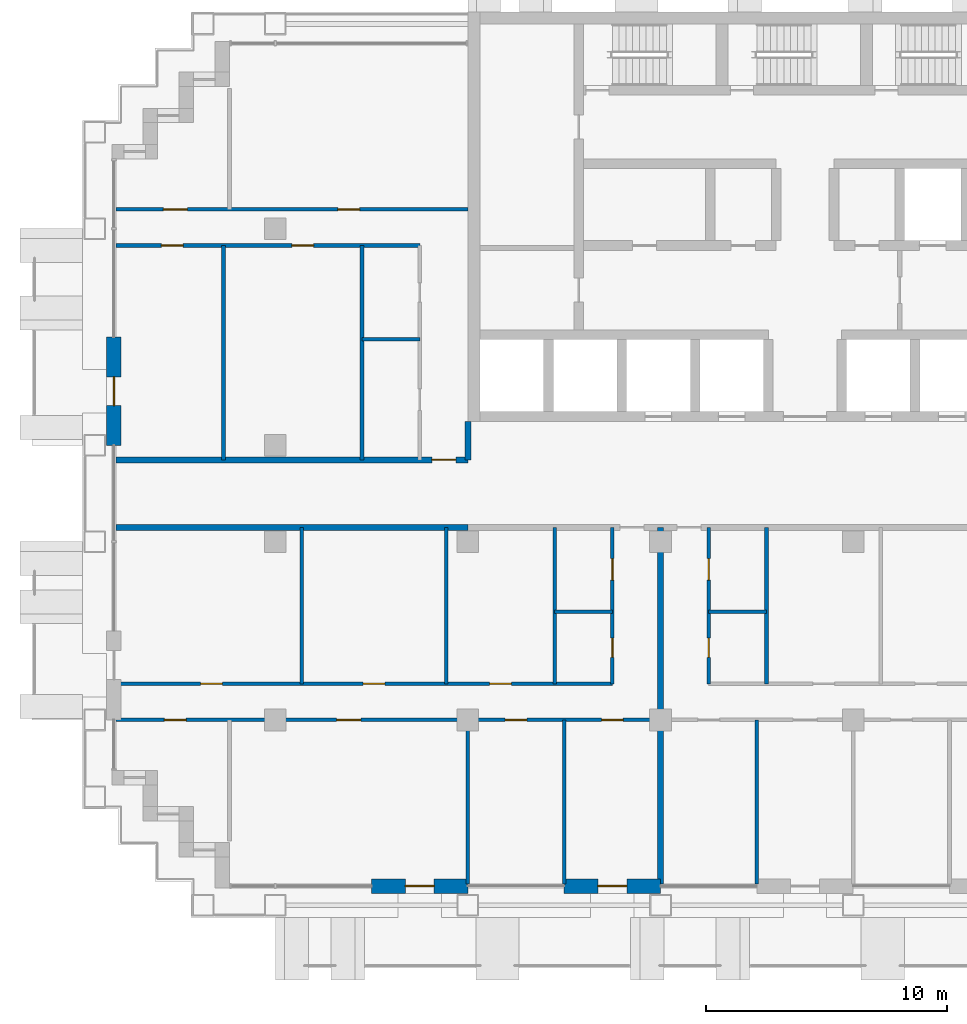
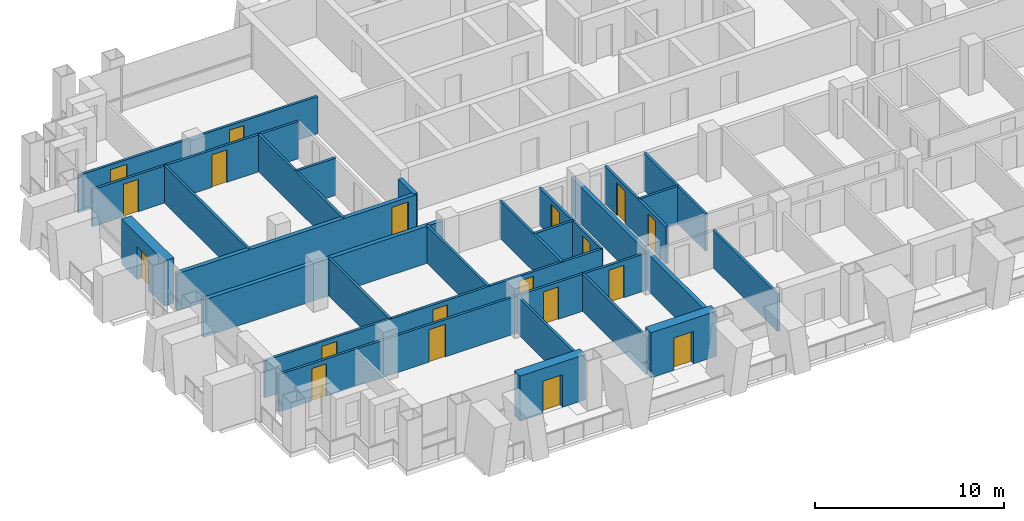
# One storey, part 8 of 17: 25 walls, 19 doors, 19 openings.
"""IFC4 building model written with IfcOpenShell, lengths in metres."""

from ifc_helpers import new_model, si_unit, direction, frame, frame_2d, origin, place, context, subcontext, project, spatial, rectangle, extrude, material, layer, layer_set, type_object, element, fill, save


model = new_model("IFC4")

# Units and contexts
model_context = context("Model", 3, precision=1e-05, world=origin(), true_north=direction((0.0, 1.0)))
body_context = subcontext(model_context, "Body", "Model", "MODEL_VIEW")
ifc_project = project(units=[si_unit("LENGTHUNIT", "METRE"), si_unit("AREAUNIT", "SQUARE_METRE"), si_unit("VOLUMEUNIT", "CUBIC_METRE"), si_unit("PLANEANGLEUNIT", "RADIAN"), si_unit("MASSUNIT", "GRAM", prefix="KILO")], contexts=[model_context])

# Site, building, storey
site_placement = place(None, origin())
site = spatial("IfcSite", under=ifc_project, at=site_placement, CompositionType="ELEMENT")
building_placement = place(site_placement, origin())
building = spatial("IfcBuilding", under=site, at=building_placement, Name="Vidyagriha Tower", CompositionType="ELEMENT")
storey_placement = place(building_placement, frame((0.0, 0.0, 77.5)))
storey = spatial("IfcBuildingStorey", under=building, at=storey_placement, Name="L19", CompositionType="ELEMENT", Elevation=77.5)

# Wall, opening, door
ifc_material_1 = material(Name="Precast concrete C40/50 with brick facing", Category="concrete")
ifc_layer_1 = layer(ifc_material_1, 0.60009765625)
ifc_layer_set_1 = layer_set([ifc_layer_1], Name="Precast concrete C40/50 with brick facing")
wall_type_1 = type_object("IfcWallType", Name="Brick-faced precast wall 600", PredefinedType="STANDARD", material=ifc_layer_set_1)
wall_1_placement = place(storey_placement, frame((-28.699951171875, 6.5, 0.0), z_axis=(0.0, 0.0, 1.0), x_axis=(0.0, -1.0, 0.0)))
wall_1 = element("IfcWall", 1, at=wall_1_placement, inside=storey, type_object=wall_type_1, Name="Brick door bay wall L19 R16.3", PredefinedType="STANDARD", context=body_context, shape_type="SweptSolid", body=[
    extrude(rectangle(XDim=4.5, YDim=0.60009765625, at=frame_2d((2.25, 0.0))), origin(), (0.0, 0.0, 1.0), 2.919921875),
])
opening_1_placement = place(wall_1_placement, frame((1.64990234375, 0.0, 0.0)))
opening_1 = element("IfcOpeningElement", 2, at=opening_1_placement, cuts=wall_1, Name="Opening D19-72", PredefinedType="OPENING", context=body_context, shape_type="SweptSolid", body=[
    extrude(rectangle(XDim=1.199951171875, YDim=2.10009765625, at=frame_2d((0.60009765625, 1.050048828125))), frame((0.0, 0.31005859375, 0.0), z_axis=(0.0, -1.0, 0.0), x_axis=(1.0, 0.0, 0.0)), (0.0, 0.0, 1.0), 0.6201171875),
])
ifc_material_2 = material(Name="Aluminium framed glazed sliding door", Category="aluminium")
door_type_1 = type_object("IfcDoorType", Name="Balcony sliding door 1200x2100", OperationType="NOTDEFINED", PredefinedType="DOOR", material=ifc_material_2)
door_1_placement = place(opening_1_placement, origin())
door_1 = element("IfcDoor", 3, at=door_1_placement, inside=storey, type_object=door_type_1, Name="Door D19-72", OperationType="SLIDING_TO_LEFT", OverallHeight=2.10009765625, OverallWidth=1.199951171875, PredefinedType="DOOR", context=body_context, shape_type="SweptSolid", body=[
    extrude(rectangle(XDim=1.199951171875, YDim=2.10009765625, at=frame_2d((0.60009765625, 1.050048828125))), frame((0.0, 0.02490234375, 0.0), z_axis=(0.0, -1.0, 0.0), x_axis=(1.0, 0.0, 0.0)), (0.0, 0.0, 1.0), 0.050048828125),
])
fill(opening_1, door_1)

wall_2_placement = place(storey_placement, frame((-18.0, -16.300048828125, 0.0)))
wall_2 = element("IfcWall", 4, at=wall_2_placement, inside=storey, type_object=wall_type_1, Name="Brick door bay wall L19 R23.3", PredefinedType="STANDARD", context=body_context, shape_type="SweptSolid", body=[
    extrude(rectangle(XDim=4.0, YDim=0.60009765625, at=frame_2d((2.0, 0.0))), origin(), (0.0, 0.0, 1.0), 2.919921875),
])
opening_2_placement = place(wall_2_placement, frame((1.39990234375, 0.0, 0.0)))
opening_2 = element("IfcOpeningElement", 5, at=opening_2_placement, cuts=wall_2, Name="Opening D19-74", PredefinedType="OPENING", context=body_context, shape_type="SweptSolid", body=[
    extrude(rectangle(XDim=1.199951171875, YDim=2.10009765625, at=frame_2d((0.60009765625, 1.050048828125))), frame((0.0, 0.31005859375, 0.0), z_axis=(0.0, -1.0, 0.0), x_axis=(1.0, 0.0, 0.0)), (0.0, 0.0, 1.0), 0.6201171875),
])
door_2_placement = place(opening_2_placement, origin())
door_2 = element("IfcDoor", 6, at=door_2_placement, inside=storey, type_object=door_type_1, Name="Door D19-74", OperationType="SLIDING_TO_LEFT", OverallHeight=2.10009765625, OverallWidth=1.199951171875, PredefinedType="DOOR", context=body_context, shape_type="SweptSolid", body=[
    extrude(rectangle(XDim=1.199951171875, YDim=2.10009765625, at=frame_2d((0.60009765625, 1.050048828125))), frame((0.0, 0.02490234375, 0.0), z_axis=(0.0, -1.0, 0.0), x_axis=(1.0, 0.0, 0.0)), (0.0, 0.0, 1.0), 0.050048828125),
])
fill(opening_2, door_2)

wall_3_placement = place(storey_placement, frame((-10.0, -16.300048828125, 0.0)))
wall_3 = element("IfcWall", 7, at=wall_3_placement, inside=storey, type_object=wall_type_1, Name="Brick door bay wall L19 R23.5", PredefinedType="STANDARD", context=body_context, shape_type="SweptSolid", body=[
    extrude(rectangle(XDim=4.0, YDim=0.60009765625, at=frame_2d((2.0, 0.0))), origin(), (0.0, 0.0, 1.0), 2.919921875),
])
opening_3_placement = place(wall_3_placement, frame((1.39990234375, 0.0, 0.0)))
opening_3 = element("IfcOpeningElement", 8, at=opening_3_placement, cuts=wall_3, Name="Opening D19-75", PredefinedType="OPENING", context=body_context, shape_type="SweptSolid", body=[
    extrude(rectangle(XDim=1.199951171875, YDim=2.10009765625, at=frame_2d((0.60009765625, 1.050048828125))), frame((0.0, 0.31005859375, 0.0), z_axis=(0.0, -1.0, 0.0), x_axis=(1.0, 0.0, 0.0)), (0.0, 0.0, 1.0), 0.6201171875),
])
door_3_placement = place(opening_3_placement, origin())
door_3 = element("IfcDoor", 9, at=door_3_placement, inside=storey, type_object=door_type_1, Name="Door D19-75", OperationType="SLIDING_TO_LEFT", OverallHeight=2.10009765625, OverallWidth=1.199951171875, PredefinedType="DOOR", context=body_context, shape_type="SweptSolid", body=[
    extrude(rectangle(XDim=1.199951171875, YDim=2.10009765625, at=frame_2d((0.60009765625, 1.050048828125))), frame((0.0, 0.02490234375, 0.0), z_axis=(0.0, -1.0, 0.0), x_axis=(1.0, 0.0, 0.0)), (0.0, 0.0, 1.0), 0.050048828125),
])
fill(opening_3, door_3)

# Wall
ifc_material_3 = material(Name="Fired clay brick masonry", Category="masonry")
ifc_layer_2 = layer(ifc_material_3, 0.25)
ifc_layer_set_2 = layer_set([ifc_layer_2], Name="Fired clay brick masonry")
wall_type_2 = type_object("IfcWallType", Name="Fired clay brick corridor wall 250", PredefinedType="PARTITIONING", material=ifc_layer_set_2)
wall_4_placement = place(storey_placement, frame((-14.0, -1.39990234375, 0.0), z_axis=(0.0, 0.0, 1.0), x_axis=(-1.0, 0.0, 0.0)))
element("IfcWall", 10, at=wall_4_placement, inside=storey, type_object=wall_type_2, Name="Wall all-L19-w078", PredefinedType="PARTITIONING", context=body_context, shape_type="SweptSolid", body=[
    extrude(rectangle(XDim=14.6201171875, YDim=0.25, at=frame_2d((7.31005859375, 0.0))), origin(), (0.0, 0.0, 1.0), 2.39990234375),
])

# Wall, opening, door
wall_5_placement = place(storey_placement, frame((-28.6201171875, 1.39990234375, 0.0)))
wall_5 = element("IfcWall", 11, at=wall_5_placement, inside=storey, type_object=wall_type_2, Name="Wall all-L19-w095", PredefinedType="PARTITIONING", context=body_context, shape_type="SweptSolid", body=[
    extrude(rectangle(XDim=14.6201171875, YDim=0.25, at=frame_2d((7.31005859375, 0.0))), origin(), (0.0, 0.0, 1.0), 2.39990234375),
])
opening_4_placement = place(wall_5_placement, frame((13.1201171875, 0.0, 0.0)))
opening_4 = element("IfcOpeningElement", 12, at=opening_4_placement, cuts=wall_5, Name="Opening D19-56", PredefinedType="OPENING", context=body_context, shape_type="SweptSolid", body=[
    extrude(rectangle(XDim=1.0, YDim=2.10009765625, at=frame_2d((0.5, 1.050048828125))), frame((0.0, 0.135009765625, 0.0), z_axis=(0.0, -1.0, 0.0), x_axis=(1.0, 0.0, 0.0)), (0.0, 0.0, 1.0), 0.27001953125),
])
ifc_material_4 = material(Name="Fire-rated timber door leaf EI 60", Category="wood")
door_type_2 = type_object("IfcDoorType", Name="Flat entrance fire door 1000x2100", OperationType="NOTDEFINED", PredefinedType="DOOR", material=ifc_material_4)
door_4_placement = place(opening_4_placement, origin())
door_4 = element("IfcDoor", 13, at=door_4_placement, inside=storey, type_object=door_type_2, Name="Door D19-56", OperationType="SINGLE_SWING_RIGHT", OverallHeight=2.10009765625, OverallWidth=1.0, PredefinedType="DOOR", context=body_context, shape_type="SweptSolid", body=[
    extrude(rectangle(XDim=1.0, YDim=2.10009765625, at=frame_2d((0.5, 1.050048828125))), frame((0.0, 0.02490234375, 0.0), z_axis=(0.0, -1.0, 0.0), x_axis=(1.0, 0.0, 0.0)), (0.0, 0.0, 1.0), 0.050048828125),
])
fill(opening_4, door_4)

# Walls
wall_6_placement = place(storey_placement, frame((-14.0, 3.0, 0.0), z_axis=(0.0, 0.0, 1.0), x_axis=(0.0, -1.0, 0.0)))
element("IfcWall", 14, at=wall_6_placement, inside=storey, type_object=wall_type_2, Name="Wall all-L19-w130", PredefinedType="PARTITIONING", context=body_context, shape_type="SweptSolid", body=[
    extrude(rectangle(XDim=1.60009765625, YDim=0.25, at=frame_2d((0.800048828125, 0.0))), origin(), (0.0, 0.0, 1.0), 2.39990234375),
])
ifc_material_5 = material(Name="Fired clay brick masonry", Category="masonry")
ifc_layer_3 = layer(ifc_material_5, 0.25)
ifc_layer_set_3 = layer_set([ifc_layer_3], Name="Fired clay brick masonry")
wall_type_3 = type_object("IfcWallType", Name="Fired clay brick demising wall 250", PredefinedType="PARTITIONING", material=ifc_layer_set_3)
wall_7_placement = place(storey_placement, frame((-6.0, -1.39990234375, 0.0), z_axis=(0.0, 0.0, 1.0), x_axis=(0.0, -1.0, 0.0)))
element("IfcWall", 15, at=wall_7_placement, inside=storey, type_object=wall_type_3, Name="Wall all-L19-w041", PredefinedType="PARTITIONING", context=body_context, shape_type="SweptSolid", body=[
    extrude(rectangle(XDim=14.81005859375, YDim=0.25, at=frame_2d((7.405029296875, 0.0))), origin(), (0.0, 0.0, 1.0), 2.39990234375),
])
ifc_material_6 = material(Name="Gypsum board partition")
ifc_layer_4 = layer(ifc_material_6, 0.14990234375)
ifc_layer_set_4 = layer_set([ifc_layer_4], Name="Gypsum board partition")
wall_type_4 = type_object("IfcWallType", Name="Gypsum board partition 150", PredefinedType="PARTITIONING", material=ifc_layer_set_4)
wall_8_placement = place(storey_placement, frame((-8.0, -4.89990234375, 0.0), z_axis=(0.0, 0.0, 1.0), x_axis=(-1.0, 0.0, 0.0)))
element("IfcWall", 16, at=wall_8_placement, inside=storey, type_object=wall_type_4, Name="Wall all-L19-w004", PredefinedType="PARTITIONING", context=body_context, shape_type="SweptSolid", body=[
    extrude(rectangle(XDim=2.39990234375, YDim=0.14990234375, at=frame_2d((1.199951171875, 0.0))), origin(), (0.0, 0.0, 1.0), 2.39990234375),
])
for number, where, z_axis, x_axis, name in (
    (17, (-10.39990234375, -7.89990234375, 0.0), (0.0, 0.0, 1.0), (0.0, 1.0, 0.0), "Wall all-L19-w005"),
    (18, (-14.89990234375, -7.89990234375, 0.0), (0.0, 0.0, 1.0), (0.0, 1.0, 0.0), "Wall all-L19-w006"),
    (19, (-20.89990234375, -7.89990234375, 0.0), (0.0, 0.0, 1.0), (0.0, 1.0, 0.0), "Wall all-L19-w007"),
):
    element("IfcWall", number, at=place(storey_placement, frame(where, z_axis=z_axis, x_axis=x_axis)), inside=storey, type_object=wall_type_4, Name=name, PredefinedType="PARTITIONING", context=body_context, shape_type="SweptSolid", body=[
        extrude(rectangle(XDim=6.5, YDim=0.14990234375, at=frame_2d((3.25, 0.0))), origin(), (0.0, 0.0, 1.0), 2.39990234375),
    ])

# Wall, openings, doors
wall_9_placement = place(storey_placement, frame((-28.610107421875, -7.89990234375, 0.0)))
wall_9 = element("IfcWall", 20, at=wall_9_placement, inside=storey, type_object=wall_type_4, Name="Wall all-L19-w008", PredefinedType="PARTITIONING", context=body_context, shape_type="SweptSolid", body=[
    extrude(rectangle(XDim=20.610107421875, YDim=0.14990234375, at=frame_2d((10.30517578125, 0.0))), origin(), (0.0, 0.0, 1.0), 2.39990234375),
])
opening_5_placement = place(wall_9_placement, frame((15.510009765625, 0.0, 0.0)))
opening_5 = element("IfcOpeningElement", 21, at=opening_5_placement, cuts=wall_9, Name="Opening D19-15", PredefinedType="OPENING", context=body_context, shape_type="SweptSolid", body=[
    extrude(rectangle(XDim=0.89990234375, YDim=2.10009765625, at=frame_2d((0.449951171875, 1.050048828125))), frame((0.0, 0.0849609375, 0.0), z_axis=(0.0, -1.0, 0.0), x_axis=(1.0, 0.0, 0.0)), (0.0, 0.0, 1.0), 0.169921875),
])
opening_6_placement = place(wall_9_placement, frame((10.260009765625, 0.0, 0.0)))
opening_6 = element("IfcOpeningElement", 22, at=opening_6_placement, cuts=wall_9, Name="Opening D19-16", PredefinedType="OPENING", context=body_context, shape_type="SweptSolid", body=[
    extrude(rectangle(XDim=0.89990234375, YDim=2.10009765625, at=frame_2d((0.449951171875, 1.050048828125))), frame((0.0, 0.0849609375, 0.0), z_axis=(0.0, -1.0, 0.0), x_axis=(1.0, 0.0, 0.0)), (0.0, 0.0, 1.0), 0.169921875),
])
opening_7_placement = place(wall_9_placement, frame((3.510009765625, 0.0, 0.0)))
opening_7 = element("IfcOpeningElement", 23, at=opening_7_placement, cuts=wall_9, Name="Opening D19-17", PredefinedType="OPENING", context=body_context, shape_type="SweptSolid", body=[
    extrude(rectangle(XDim=0.89990234375, YDim=2.10009765625, at=frame_2d((0.449951171875, 1.050048828125))), frame((0.0, 0.0849609375, 0.0), z_axis=(0.0, -1.0, 0.0), x_axis=(1.0, 0.0, 0.0)), (0.0, 0.0, 1.0), 0.169921875),
])
ifc_material_7 = material(Name="Timber door leaf", Category="wood")
door_type_3 = type_object("IfcDoorType", Name="Room door 900x2100", OperationType="NOTDEFINED", PredefinedType="DOOR", material=ifc_material_7)
door_5_placement = place(opening_5_placement, origin())
door_5 = element("IfcDoor", 24, at=door_5_placement, inside=storey, type_object=door_type_3, Name="Door D19-15", OperationType="SINGLE_SWING_RIGHT", OverallHeight=2.10009765625, OverallWidth=0.89990234375, PredefinedType="DOOR", context=body_context, shape_type="SweptSolid", body=[
    extrude(rectangle(XDim=0.89990234375, YDim=2.10009765625, at=frame_2d((0.449951171875, 1.050048828125))), frame((0.0, 0.02490234375, 0.0), z_axis=(0.0, -1.0, 0.0), x_axis=(1.0, 0.0, 0.0)), (0.0, 0.0, 1.0), 0.050048828125),
])
fill(opening_5, door_5)
door_6_placement = place(opening_6_placement, origin())
door_6 = element("IfcDoor", 25, at=door_6_placement, inside=storey, type_object=door_type_3, Name="Door D19-16", OperationType="SINGLE_SWING_RIGHT", OverallHeight=2.10009765625, OverallWidth=0.89990234375, PredefinedType="DOOR", context=body_context, shape_type="SweptSolid", body=[
    extrude(rectangle(XDim=0.89990234375, YDim=2.10009765625, at=frame_2d((0.449951171875, 1.050048828125))), frame((0.0, 0.02490234375, 0.0), z_axis=(0.0, -1.0, 0.0), x_axis=(1.0, 0.0, 0.0)), (0.0, 0.0, 1.0), 0.050048828125),
])
fill(opening_6, door_6)
door_7_placement = place(opening_7_placement, origin())
door_7 = element("IfcDoor", 26, at=door_7_placement, inside=storey, type_object=door_type_3, Name="Door D19-17", OperationType="SINGLE_SWING_RIGHT", OverallHeight=2.10009765625, OverallWidth=0.89990234375, PredefinedType="DOOR", context=body_context, shape_type="SweptSolid", body=[
    extrude(rectangle(XDim=0.89990234375, YDim=2.10009765625, at=frame_2d((0.449951171875, 1.050048828125))), frame((0.0, 0.02490234375, 0.0), z_axis=(0.0, -1.0, 0.0), x_axis=(1.0, 0.0, 0.0)), (0.0, 0.0, 1.0), 0.050048828125),
])
fill(opening_7, door_7)

wall_10_placement = place(storey_placement, frame((-6.0, -9.39990234375, 0.0), z_axis=(0.0, 0.0, 1.0), x_axis=(-1.0, 0.0, 0.0)))
wall_10 = element("IfcWall", 27, at=wall_10_placement, inside=storey, type_object=wall_type_4, Name="Wall all-L19-w012", PredefinedType="PARTITIONING", context=body_context, shape_type="SweptSolid", body=[
    extrude(rectangle(XDim=22.610107421875, YDim=0.14990234375, at=frame_2d((11.30517578125, 0.0))), origin(), (0.0, 0.0, 1.0), 2.39990234375),
])
opening_8_placement = place(wall_10_placement, frame((19.699951171875, 0.0, 0.0)))
opening_8 = element("IfcOpeningElement", 28, at=opening_8_placement, cuts=wall_10, Name="Opening D19-18", PredefinedType="OPENING", context=body_context, shape_type="SweptSolid", body=[
    extrude(rectangle(XDim=0.89990234375, YDim=2.10009765625, at=frame_2d((0.449951171875, 1.050048828125))), frame((0.0, 0.0849609375, 0.0), z_axis=(0.0, -1.0, 0.0), x_axis=(1.0, 0.0, 0.0)), (0.0, 0.0, 1.0), 0.169921875),
])
opening_9_placement = place(wall_10_placement, frame((12.449951171875, 0.0, 0.0)))
opening_9 = element("IfcOpeningElement", 29, at=opening_9_placement, cuts=wall_10, Name="Opening D19-19", PredefinedType="OPENING", context=body_context, shape_type="SweptSolid", body=[
    extrude(rectangle(XDim=1.0, YDim=2.10009765625, at=frame_2d((0.5, 1.050048828125))), frame((0.0, 0.0849609375, 0.0), z_axis=(0.0, -1.0, 0.0), x_axis=(1.0, 0.0, 0.0)), (0.0, 0.0, 1.0), 0.169921875),
])
opening_10_placement = place(wall_10_placement, frame((5.550048828125, 0.0, 0.0)))
opening_10 = element("IfcOpeningElement", 30, at=opening_10_placement, cuts=wall_10, Name="Opening D19-20", PredefinedType="OPENING", context=body_context, shape_type="SweptSolid", body=[
    extrude(rectangle(XDim=0.89990234375, YDim=2.10009765625, at=frame_2d((0.449951171875, 1.050048828125))), frame((0.0, 0.0849609375, 0.0), z_axis=(0.0, -1.0, 0.0), x_axis=(1.0, 0.0, 0.0)), (0.0, 0.0, 1.0), 0.169921875),
])
opening_11_placement = place(wall_10_placement, frame((1.550048828125, 0.0, 0.0)))
opening_11 = element("IfcOpeningElement", 31, at=opening_11_placement, cuts=wall_10, Name="Opening D19-21", PredefinedType="OPENING", context=body_context, shape_type="SweptSolid", body=[
    extrude(rectangle(XDim=0.89990234375, YDim=2.10009765625, at=frame_2d((0.449951171875, 1.050048828125))), frame((0.0, 0.0849609375, 0.0), z_axis=(0.0, -1.0, 0.0), x_axis=(1.0, 0.0, 0.0)), (0.0, 0.0, 1.0), 0.169921875),
])
ifc_material_8 = material(Name="Timber door leaf", Category="wood")
door_type_4 = type_object("IfcDoorType", Name="Room door 1000x2100", OperationType="NOTDEFINED", PredefinedType="DOOR", material=ifc_material_8)
door_8_placement = place(opening_9_placement, origin())
door_8 = element("IfcDoor", 32, at=door_8_placement, inside=storey, type_object=door_type_4, Name="Door D19-19", OperationType="SINGLE_SWING_RIGHT", OverallHeight=2.10009765625, OverallWidth=1.0, PredefinedType="DOOR", context=body_context, shape_type="SweptSolid", body=[
    extrude(rectangle(XDim=1.0, YDim=2.10009765625, at=frame_2d((0.5, 1.050048828125))), frame((0.0, 0.02490234375, 0.0), z_axis=(0.0, -1.0, 0.0), x_axis=(1.0, 0.0, 0.0)), (0.0, 0.0, 1.0), 0.050048828125),
])
fill(opening_9, door_8)
door_9_placement = place(opening_8_placement, origin())
door_9 = element("IfcDoor", 33, at=door_9_placement, inside=storey, type_object=door_type_3, Name="Door D19-18", OperationType="SINGLE_SWING_RIGHT", OverallHeight=2.10009765625, OverallWidth=0.89990234375, PredefinedType="DOOR", context=body_context, shape_type="SweptSolid", body=[
    extrude(rectangle(XDim=0.89990234375, YDim=2.10009765625, at=frame_2d((0.449951171875, 1.050048828125))), frame((0.0, 0.02490234375, 0.0), z_axis=(0.0, -1.0, 0.0), x_axis=(1.0, 0.0, 0.0)), (0.0, 0.0, 1.0), 0.050048828125),
])
fill(opening_8, door_9)
door_10_placement = place(opening_10_placement, origin())
door_10 = element("IfcDoor", 34, at=door_10_placement, inside=storey, type_object=door_type_3, Name="Door D19-20", OperationType="SINGLE_SWING_RIGHT", OverallHeight=2.10009765625, OverallWidth=0.89990234375, PredefinedType="DOOR", context=body_context, shape_type="SweptSolid", body=[
    extrude(rectangle(XDim=0.89990234375, YDim=2.10009765625, at=frame_2d((0.449951171875, 1.050048828125))), frame((0.0, 0.02490234375, 0.0), z_axis=(0.0, -1.0, 0.0), x_axis=(1.0, 0.0, 0.0)), (0.0, 0.0, 1.0), 0.050048828125),
])
fill(opening_10, door_10)
door_11_placement = place(opening_11_placement, origin())
door_11 = element("IfcDoor", 35, at=door_11_placement, inside=storey, type_object=door_type_3, Name="Door D19-21", OperationType="SINGLE_SWING_RIGHT", OverallHeight=2.10009765625, OverallWidth=0.89990234375, PredefinedType="DOOR", context=body_context, shape_type="SweptSolid", body=[
    extrude(rectangle(XDim=0.89990234375, YDim=2.10009765625, at=frame_2d((0.449951171875, 1.050048828125))), frame((0.0, 0.02490234375, 0.0), z_axis=(0.0, -1.0, 0.0), x_axis=(1.0, 0.0, 0.0)), (0.0, 0.0, 1.0), 0.050048828125),
])
fill(opening_11, door_11)

# Walls
wall_11_placement = place(storey_placement, frame((-14.0, -9.39990234375, 0.0), z_axis=(0.0, 0.0, 1.0), x_axis=(0.0, -1.0, 0.0)))
element("IfcWall", 36, at=wall_11_placement, inside=storey, type_object=wall_type_4, Name="Wall all-L19-w018", PredefinedType="PARTITIONING", context=body_context, shape_type="SweptSolid", body=[
    extrude(rectangle(XDim=6.81005859375, YDim=0.14990234375, at=frame_2d((3.405029296875, 0.0))), origin(), (0.0, 0.0, 1.0), 2.39990234375),
])
wall_12_placement = place(storey_placement, frame((-10.0, -9.39990234375, 0.0), z_axis=(0.0, 0.0, 1.0), x_axis=(0.0, -1.0, 0.0)))
element("IfcWall", 37, at=wall_12_placement, inside=storey, type_object=wall_type_4, Name="Wall all-L19-w019", PredefinedType="PARTITIONING", context=body_context, shape_type="SweptSolid", body=[
    extrude(rectangle(XDim=6.821044921875, YDim=0.14990234375, at=frame_2d((3.41064453125, 0.0))), origin(), (0.0, 0.0, 1.0), 2.39990234375),
])
wall_13_placement = place(storey_placement, frame((-1.60009765625, -4.89990234375, 0.0), z_axis=(0.0, 0.0, 1.0), x_axis=(-1.0, 0.0, 0.0)))
element("IfcWall", 38, at=wall_13_placement, inside=storey, type_object=wall_type_4, Name="Wall all-L19-w024", PredefinedType="PARTITIONING", context=body_context, shape_type="SweptSolid", body=[
    extrude(rectangle(XDim=2.39990234375, YDim=0.14990234375, at=frame_2d((1.199951171875, 0.0))), origin(), (0.0, 0.0, 1.0), 2.39990234375),
])
wall_14_placement = place(storey_placement, frame((-1.60009765625, -1.39990234375, 0.0), z_axis=(0.0, 0.0, 1.0), x_axis=(0.0, -1.0, 0.0)))
element("IfcWall", 39, at=wall_14_placement, inside=storey, type_object=wall_type_4, Name="Wall all-L19-w025", PredefinedType="PARTITIONING", context=body_context, shape_type="SweptSolid", body=[
    extrude(rectangle(XDim=6.5, YDim=0.14990234375, at=frame_2d((3.25, 0.0))), origin(), (0.0, 0.0, 1.0), 2.39990234375),
])
wall_15_placement = place(storey_placement, frame((-2.0, -9.39990234375, 0.0), z_axis=(0.0, 0.0, 1.0), x_axis=(0.0, -1.0, 0.0)))
element("IfcWall", 40, at=wall_15_placement, inside=storey, type_object=wall_type_4, Name="Wall all-L19-w037", PredefinedType="PARTITIONING", context=body_context, shape_type="SweptSolid", body=[
    extrude(rectangle(XDim=6.821044921875, YDim=0.14990234375, at=frame_2d((3.41064453125, 0.0))), origin(), (0.0, 0.0, 1.0), 2.39990234375),
])
wall_16_placement = place(storey_placement, frame((-18.39990234375, 6.39990234375, 0.0)))
element("IfcWall", 41, at=wall_16_placement, inside=storey, type_object=wall_type_4, Name="Wall all-L19-w084", PredefinedType="PARTITIONING", context=body_context, shape_type="SweptSolid", body=[
    extrude(rectangle(XDim=2.39990234375, YDim=0.14990234375, at=frame_2d((1.199951171875, 0.0))), origin(), (0.0, 0.0, 1.0), 2.39990234375),
])
for number, where, z_axis, x_axis, name in (
    (42, (-18.39990234375, 1.39990234375, 0.0), (0.0, 0.0, 1.0), (0.0, 1.0, 0.0), "Wall all-L19-w085"),
    (43, (-24.14990234375, 1.39990234375, 0.0), (0.0, 0.0, 1.0), (0.0, 1.0, 0.0), "Wall all-L19-w086"),
):
    element("IfcWall", number, at=place(storey_placement, frame(where, z_axis=z_axis, x_axis=x_axis)), inside=storey, type_object=wall_type_4, Name=name, PredefinedType="PARTITIONING", context=body_context, shape_type="SweptSolid", body=[
        extrude(rectangle(XDim=8.900146484375, YDim=0.14990234375, at=frame_2d((4.4501953125, 0.0))), origin(), (0.0, 0.0, 1.0), 2.39990234375),
    ])

# Wall, openings, doors
wall_17_placement = place(storey_placement, frame((-16.0, 10.300048828125, 0.0), z_axis=(0.0, 0.0, 1.0), x_axis=(-1.0, 0.0, 0.0)))
wall_17 = element("IfcWall", 44, at=wall_17_placement, inside=storey, type_object=wall_type_4, Name="Wall all-L19-w087", PredefinedType="PARTITIONING", context=body_context, shape_type="SweptSolid", body=[
    extrude(rectangle(XDim=12.6201171875, YDim=0.14990234375, at=frame_2d((6.31005859375, 0.0))), origin(), (0.0, 0.0, 1.0), 2.39990234375),
])
opening_12_placement = place(wall_17_placement, frame((4.410888671875, 0.0, 0.0)))
opening_12 = element("IfcOpeningElement", 45, at=opening_12_placement, cuts=wall_17, Name="Opening D19-52", PredefinedType="OPENING", context=body_context, shape_type="SweptSolid", body=[
    extrude(rectangle(XDim=0.89990234375, YDim=2.10009765625, at=frame_2d((0.449951171875, 1.050048828125))), frame((0.0, 0.0849609375, 0.0), z_axis=(0.0, -1.0, 0.0), x_axis=(1.0, 0.0, 0.0)), (0.0, 0.0, 1.0), 0.169921875),
])
opening_13_placement = place(wall_17_placement, frame((9.824951171875, 0.0, 0.0)))
opening_13 = element("IfcOpeningElement", 46, at=opening_13_placement, cuts=wall_17, Name="Opening D19-53", PredefinedType="OPENING", context=body_context, shape_type="SweptSolid", body=[
    extrude(rectangle(XDim=0.89990234375, YDim=2.10009765625, at=frame_2d((0.449951171875, 1.050048828125))), frame((0.0, 0.0849609375, 0.0), z_axis=(0.0, -1.0, 0.0), x_axis=(1.0, 0.0, 0.0)), (0.0, 0.0, 1.0), 0.169921875),
])
door_12_placement = place(opening_12_placement, origin())
door_12 = element("IfcDoor", 47, at=door_12_placement, inside=storey, type_object=door_type_3, Name="Door D19-52", OperationType="SINGLE_SWING_LEFT", OverallHeight=2.10009765625, OverallWidth=0.89990234375, PredefinedType="DOOR", context=body_context, shape_type="SweptSolid", body=[
    extrude(rectangle(XDim=0.89990234375, YDim=2.10009765625, at=frame_2d((0.449951171875, 1.050048828125))), frame((0.0, 0.02490234375, 0.0), z_axis=(0.0, -1.0, 0.0), x_axis=(1.0, 0.0, 0.0)), (0.0, 0.0, 1.0), 0.050048828125),
])
fill(opening_12, door_12)
door_13_placement = place(opening_13_placement, origin())
door_13 = element("IfcDoor", 48, at=door_13_placement, inside=storey, type_object=door_type_3, Name="Door D19-53", OperationType="SINGLE_SWING_RIGHT", OverallHeight=2.10009765625, OverallWidth=0.89990234375, PredefinedType="DOOR", context=body_context, shape_type="SweptSolid", body=[
    extrude(rectangle(XDim=0.89990234375, YDim=2.10009765625, at=frame_2d((0.449951171875, 1.050048828125))), frame((0.0, 0.02490234375, 0.0), z_axis=(0.0, -1.0, 0.0), x_axis=(1.0, 0.0, 0.0)), (0.0, 0.0, 1.0), 0.050048828125),
])
fill(opening_13, door_13)

wall_18_placement = place(storey_placement, frame((-28.6201171875, 11.800048828125, 0.0)))
wall_18 = element("IfcWall", 49, at=wall_18_placement, inside=storey, type_object=wall_type_4, Name="Wall all-L19-w090", PredefinedType="PARTITIONING", context=body_context, shape_type="SweptSolid", body=[
    extrude(rectangle(XDim=14.6201171875, YDim=0.14990234375, at=frame_2d((7.31005859375, 0.0))), origin(), (0.0, 0.0, 1.0), 2.39990234375),
])
opening_14_placement = place(wall_18_placement, frame((1.969970703125, 0.0, 0.0)))
opening_14 = element("IfcOpeningElement", 50, at=opening_14_placement, cuts=wall_18, Name="Opening D19-54", PredefinedType="OPENING", context=body_context, shape_type="SweptSolid", body=[
    extrude(rectangle(XDim=1.0, YDim=2.10009765625, at=frame_2d((0.5, 1.050048828125))), frame((0.0, 0.0849609375, 0.0), z_axis=(0.0, -1.0, 0.0), x_axis=(1.0, 0.0, 0.0)), (0.0, 0.0, 1.0), 0.169921875),
])
opening_15_placement = place(wall_18_placement, frame((9.219970703125, 0.0, 0.0)))
opening_15 = element("IfcOpeningElement", 51, at=opening_15_placement, cuts=wall_18, Name="Opening D19-55", PredefinedType="OPENING", context=body_context, shape_type="SweptSolid", body=[
    extrude(rectangle(XDim=0.89990234375, YDim=2.10009765625, at=frame_2d((0.449951171875, 1.050048828125))), frame((0.0, 0.0849609375, 0.0), z_axis=(0.0, -1.0, 0.0), x_axis=(1.0, 0.0, 0.0)), (0.0, 0.0, 1.0), 0.169921875),
])
door_14_placement = place(opening_14_placement, origin())
door_14 = element("IfcDoor", 52, at=door_14_placement, inside=storey, type_object=door_type_4, Name="Door D19-54", OperationType="SINGLE_SWING_RIGHT", OverallHeight=2.10009765625, OverallWidth=1.0, PredefinedType="DOOR", context=body_context, shape_type="SweptSolid", body=[
    extrude(rectangle(XDim=1.0, YDim=2.10009765625, at=frame_2d((0.5, 1.050048828125))), frame((0.0, 0.02490234375, 0.0), z_axis=(0.0, -1.0, 0.0), x_axis=(1.0, 0.0, 0.0)), (0.0, 0.0, 1.0), 0.050048828125),
])
fill(opening_14, door_14)
door_15_placement = place(opening_15_placement, origin())
door_15 = element("IfcDoor", 53, at=door_15_placement, inside=storey, type_object=door_type_3, Name="Door D19-55", OperationType="SINGLE_SWING_RIGHT", OverallHeight=2.10009765625, OverallWidth=0.89990234375, PredefinedType="DOOR", context=body_context, shape_type="SweptSolid", body=[
    extrude(rectangle(XDim=0.89990234375, YDim=2.10009765625, at=frame_2d((0.449951171875, 1.050048828125))), frame((0.0, 0.02490234375, 0.0), z_axis=(0.0, -1.0, 0.0), x_axis=(1.0, 0.0, 0.0)), (0.0, 0.0, 1.0), 0.050048828125),
])
fill(opening_15, door_15)

ifc_material_9 = material(Name="Moisture resistant gypsum board partition")
ifc_layer_5 = layer(ifc_material_9, 0.14990234375)
ifc_layer_set_5 = layer_set([ifc_layer_5], Name="Moisture resistant gypsum board partition")
wall_type_5 = type_object("IfcWallType", Name="Gypsum board wet-area partition 150", PredefinedType="PARTITIONING", material=ifc_layer_set_5)
wall_19_placement = place(storey_placement, frame((-8.0, -7.89990234375, 0.0), z_axis=(0.0, 0.0, 1.0), x_axis=(0.0, 1.0, 0.0)))
wall_19 = element("IfcWall", 54, at=wall_19_placement, inside=storey, type_object=wall_type_5, Name="Wall all-L19-w001", PredefinedType="PARTITIONING", context=body_context, shape_type="SweptSolid", body=[
    extrude(rectangle(XDim=6.5, YDim=0.14990234375, at=frame_2d((3.25, 0.0))), origin(), (0.0, 0.0, 1.0), 2.39990234375),
])
opening_16_placement = place(wall_19_placement, frame((4.300048828125, 0.0, 0.0)))
opening_16 = element("IfcOpeningElement", 55, at=opening_16_placement, cuts=wall_19, Name="Opening D19-13", PredefinedType="OPENING", context=body_context, shape_type="SweptSolid", body=[
    extrude(rectangle(XDim=0.89990234375, YDim=2.10009765625, at=frame_2d((0.449951171875, 1.050048828125))), frame((0.0, 0.0849609375, 0.0), z_axis=(0.0, -1.0, 0.0), x_axis=(1.0, 0.0, 0.0)), (0.0, 0.0, 1.0), 0.169921875),
])
opening_17_placement = place(wall_19_placement, frame((1.10009765625, 0.0, 0.0)))
opening_17 = element("IfcOpeningElement", 56, at=opening_17_placement, cuts=wall_19, Name="Opening D19-14", PredefinedType="OPENING", context=body_context, shape_type="SweptSolid", body=[
    extrude(rectangle(XDim=0.800048828125, YDim=2.10009765625, at=frame_2d((0.39990234375, 1.050048828125))), frame((0.0, 0.0849609375, 0.0), z_axis=(0.0, -1.0, 0.0), x_axis=(1.0, 0.0, 0.0)), (0.0, 0.0, 1.0), 0.169921875),
])
ifc_material_10 = material(Name="Timber door leaf", Category="wood")
door_type_5 = type_object("IfcDoorType", Name="Bathroom door 800x2100", OperationType="NOTDEFINED", PredefinedType="DOOR", material=ifc_material_10)
door_16_placement = place(opening_17_placement, origin())
door_16 = element("IfcDoor", 57, at=door_16_placement, inside=storey, type_object=door_type_5, Name="Door D19-14", OperationType="SINGLE_SWING_RIGHT", OverallHeight=2.10009765625, OverallWidth=0.800048828125, PredefinedType="DOOR", context=body_context, shape_type="SweptSolid", body=[
    extrude(rectangle(XDim=0.800048828125, YDim=2.10009765625, at=frame_2d((0.39990234375, 1.050048828125))), frame((0.0, 0.02490234375, 0.0), z_axis=(0.0, -1.0, 0.0), x_axis=(1.0, 0.0, 0.0)), (0.0, 0.0, 1.0), 0.050048828125),
])
fill(opening_17, door_16)
ifc_material_11 = material(Name="Timber door leaf", Category="wood")
door_type_6 = type_object("IfcDoorType", Name="Kitchen door 900x2100", OperationType="NOTDEFINED", PredefinedType="DOOR", material=ifc_material_11)
door_17_placement = place(opening_16_placement, origin())
door_17 = element("IfcDoor", 58, at=door_17_placement, inside=storey, type_object=door_type_6, Name="Door D19-13", OperationType="SINGLE_SWING_LEFT", OverallHeight=2.10009765625, OverallWidth=0.89990234375, PredefinedType="DOOR", context=body_context, shape_type="SweptSolid", body=[
    extrude(rectangle(XDim=0.89990234375, YDim=2.10009765625, at=frame_2d((0.449951171875, 1.050048828125))), frame((0.0, 0.02490234375, 0.0), z_axis=(0.0, -1.0, 0.0), x_axis=(1.0, 0.0, 0.0)), (0.0, 0.0, 1.0), 0.050048828125),
])
fill(opening_16, door_17)

wall_20_placement = place(storey_placement, frame((-4.0, -1.39990234375, 0.0), z_axis=(0.0, 0.0, 1.0), x_axis=(0.0, -1.0, 0.0)))
wall_20 = element("IfcWall", 59, at=wall_20_placement, inside=storey, type_object=wall_type_5, Name="Wall all-L19-w021", PredefinedType="PARTITIONING", context=body_context, shape_type="SweptSolid", body=[
    extrude(rectangle(XDim=6.5, YDim=0.14990234375, at=frame_2d((3.25, 0.0))), origin(), (0.0, 0.0, 1.0), 2.39990234375),
])
opening_18_placement = place(wall_20_placement, frame((1.300048828125, 0.0, 0.0)))
opening_18 = element("IfcOpeningElement", 60, at=opening_18_placement, cuts=wall_20, Name="Opening D19-23", PredefinedType="OPENING", context=body_context, shape_type="SweptSolid", body=[
    extrude(rectangle(XDim=0.89990234375, YDim=2.10009765625, at=frame_2d((0.449951171875, 1.050048828125))), frame((0.0, 0.0849609375, 0.0), z_axis=(0.0, -1.0, 0.0), x_axis=(1.0, 0.0, 0.0)), (0.0, 0.0, 1.0), 0.169921875),
])
opening_19_placement = place(wall_20_placement, frame((4.60009765625, 0.0, 0.0)))
opening_19 = element("IfcOpeningElement", 61, at=opening_19_placement, cuts=wall_20, Name="Opening D19-24", PredefinedType="OPENING", context=body_context, shape_type="SweptSolid", body=[
    extrude(rectangle(XDim=0.800048828125, YDim=2.10009765625, at=frame_2d((0.39990234375, 1.050048828125))), frame((0.0, 0.0849609375, 0.0), z_axis=(0.0, -1.0, 0.0), x_axis=(1.0, 0.0, 0.0)), (0.0, 0.0, 1.0), 0.169921875),
])
door_18_placement = place(opening_19_placement, origin())
door_18 = element("IfcDoor", 62, at=door_18_placement, inside=storey, type_object=door_type_5, Name="Door D19-24", OperationType="SINGLE_SWING_RIGHT", OverallHeight=2.10009765625, OverallWidth=0.800048828125, PredefinedType="DOOR", context=body_context, shape_type="SweptSolid", body=[
    extrude(rectangle(XDim=0.800048828125, YDim=2.10009765625, at=frame_2d((0.39990234375, 1.050048828125))), frame((0.0, 0.02490234375, 0.0), z_axis=(0.0, -1.0, 0.0), x_axis=(1.0, 0.0, 0.0)), (0.0, 0.0, 1.0), 0.050048828125),
])
fill(opening_19, door_18)
door_19_placement = place(opening_18_placement, origin())
door_19 = element("IfcDoor", 63, at=door_19_placement, inside=storey, type_object=door_type_6, Name="Door D19-23", OperationType="SINGLE_SWING_LEFT", OverallHeight=2.10009765625, OverallWidth=0.89990234375, PredefinedType="DOOR", context=body_context, shape_type="SweptSolid", body=[
    extrude(rectangle(XDim=0.89990234375, YDim=2.10009765625, at=frame_2d((0.449951171875, 1.050048828125))), frame((0.0, 0.02490234375, 0.0), z_axis=(0.0, -1.0, 0.0), x_axis=(1.0, 0.0, 0.0)), (0.0, 0.0, 1.0), 0.050048828125),
])
fill(opening_18, door_19)

save(model, "model.ifc")
